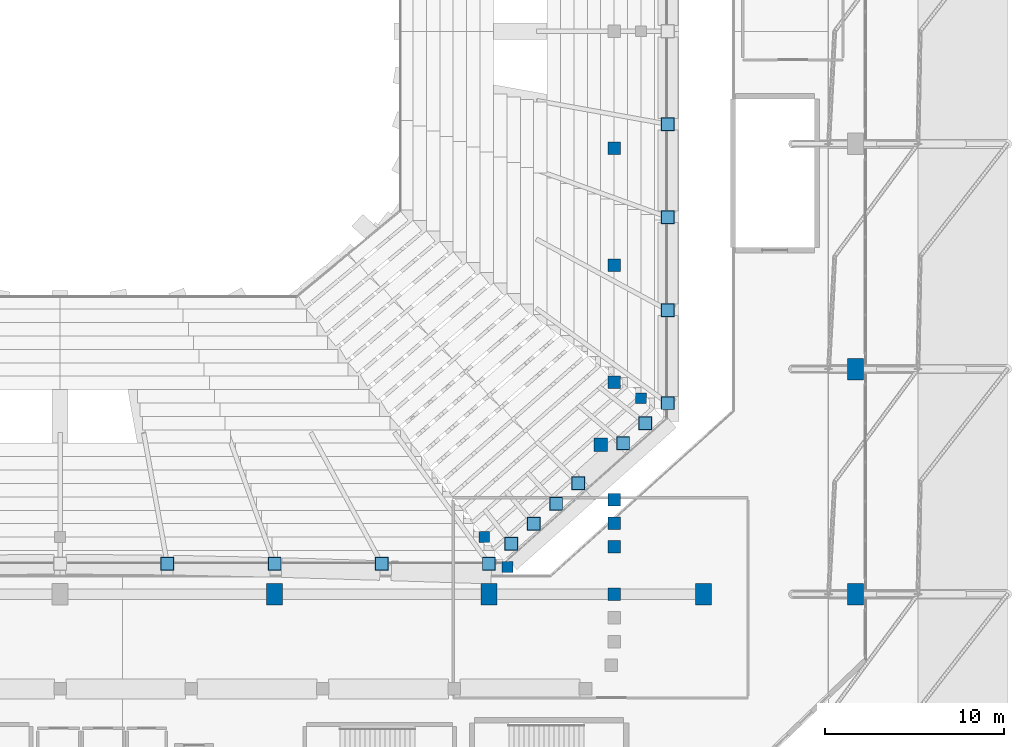
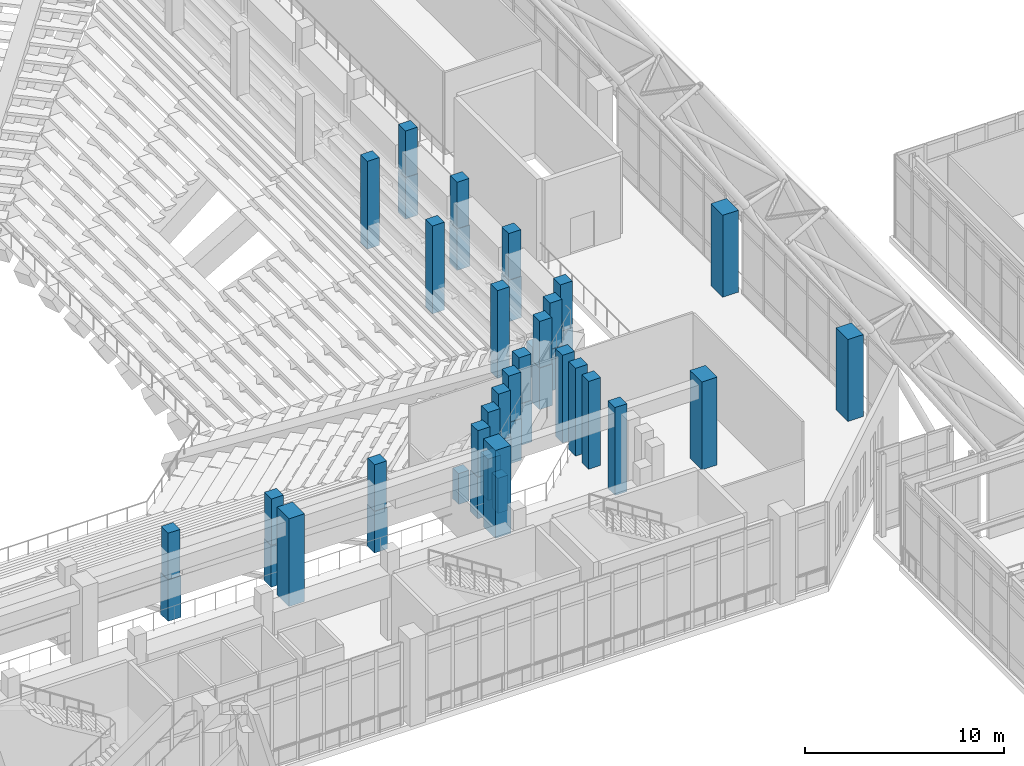
# One storey, part 3 of 159: 44 columns.
"""IFC4 building model written with IfcOpenShell, lengths in metres."""

from ifc_helpers import new_model, si_unit, derived_unit, direction, frame, origin, origin_2d, place, context, subcontext, project, spatial, rectangle, extrude, material, material_profile, profile_set, type_object, element, save


model = new_model("IFC4")

# Units and contexts
model_context = context("Model", 3, precision=1e-05, world=origin(), true_north=direction((0.0, 1.0)))
body_context = subcontext(model_context, "Body", "Model", "MODEL_VIEW")
ifc_project = project(units=[si_unit("LENGTHUNIT", "METRE"), si_unit("AREAUNIT", "SQUARE_METRE"), si_unit("VOLUMEUNIT", "CUBIC_METRE"), si_unit("PLANEANGLEUNIT", "RADIAN"), si_unit("MASSUNIT", "GRAM", prefix="KILO"), derived_unit("THERMALTRANSMITTANCEUNIT", [(si_unit("MASSUNIT", "GRAM", prefix="KILO"), 1), (si_unit("TIMEUNIT", "SECOND"), -3), (si_unit("THERMODYNAMICTEMPERATUREUNIT", "KELVIN"), -1)])], contexts=[model_context])

# Site, building, storey
site_placement = place(None, origin())
site = spatial("IfcSite", under=ifc_project, at=site_placement, CompositionType="ELEMENT")
building_placement = place(site_placement, origin())
building = spatial("IfcBuilding", under=site, at=building_placement, Name="Valcora Ridge Arena", CompositionType="ELEMENT")
storey_placement = place(building_placement, frame((0.0, 0.0, 6.0)))
storey = spatial("IfcBuildingStorey", under=building, at=storey_placement, Name="L01", CompositionType="ELEMENT", Elevation=6.0)

# Columns
ifc_material = material(Name="Concrete C40/50", Category="concrete")
ifc_material_profile_1 = material_profile(ifc_material, rectangle(XDim=0.89990234375, YDim=1.199951171875, at=origin_2d()), Name="RC 900x1200")
ifc_profile_set_1 = profile_set([ifc_material_profile_1], Name="Concrete C40/50")
column_type_1 = type_object("IfcColumnType", Name="TY-COLUMN-C-RC900", PredefinedType="COLUMN", material=ifc_profile_set_1)
for number, where, z_axis, x_axis, name in (
    (1, (70.0, 32.60009765625, 0.0), (0.0, 0.0, 1.0), (1.0, 0.0, 0.0), "C-RC900 COL-C-RC900-0029"),
    (2, (82.0, 32.60009765625, 0.0), (0.0, 0.0, 1.0), (1.0, 0.0, 0.0), "C-RC900 COL-C-RC900-0033"),
    (3, (94.0, 32.60009765625, 0.0), (0.0, 0.0, 1.0), (1.0, 0.0, 0.0), "C-RC900 COL-C-RC900-0037"),
):
    element("IfcColumn", number, at=place(storey_placement, frame(where, z_axis=z_axis, x_axis=x_axis)), inside=storey, type_object=column_type_1, Name=name, PredefinedType="COLUMN", context=body_context, shape_type="SweptSolid", body=[
        extrude(rectangle(XDim=0.89990234375, YDim=1.199951171875, at=origin_2d()), origin(), (0.0, 0.0, 1.0), 5.39990234375),
    ])
for number, where, z_axis, x_axis, name in (
    (4, (102.5, 32.60009765625, 0.0), (0.0, 0.0, 1.0), (1.0, 0.0, 0.0), "C-RC900 COL-C-RC900-0041"),
    (5, (102.5, 45.199951171875, 0.0), (0.0, 0.0, 1.0), (1.0, 0.0, 0.0), "C-RC900 COL-C-RC900-0042"),
):
    element("IfcColumn", number, at=place(storey_placement, frame(where, z_axis=z_axis, x_axis=x_axis)), inside=storey, type_object=column_type_1, Name=name, PredefinedType="COLUMN", context=body_context, shape_type="SweptSolid", body=[
        extrude(rectangle(XDim=0.89990234375, YDim=1.199951171875, at=origin_2d()), origin(), (0.0, 0.0, 1.0), 5.0400390625),
    ])
ifc_material_profile_2 = material_profile(ifc_material, rectangle(XDim=0.60009765625, YDim=0.60009765625, at=origin_2d()), Name="RC 600x600")
ifc_profile_set_2 = profile_set([ifc_material_profile_2], Name="Concrete C40/50")
column_type_2 = type_object("IfcColumnType", Name="TY-COLUMN-C-RKR600I", PredefinedType="COLUMN", material=ifc_profile_set_2)
for number, where, z_axis, x_axis, name in (
    (6, (81.72998046875, 35.800048828125, 0.0), (0.0, 0.0, 1.0), (1.0, 0.0, 0.0), "C-RKR600I COL-R2-C-RKR600I-0038"),
    (7, (90.5, 43.570068359375, 0.0), (0.0, 0.0, 1.0), (1.0, 0.0, 0.0), "C-RKR600I COL-R2-C-RKR600I-0040"),
):
    element("IfcColumn", number, at=place(storey_placement, frame(where, z_axis=z_axis, x_axis=x_axis)), inside=storey, type_object=column_type_2, Name=name, PredefinedType="COLUMN", context=body_context, shape_type="SweptSolid", body=[
        extrude(rectangle(XDim=0.60009765625, YDim=0.60009765625, at=origin_2d()), origin(), (0.0, 0.0, 1.0), 1.89501953125),
    ])
column_placement = place(storey_placement, frame((83.040283203125, 34.1201171875, 0.0), z_axis=(0.0, 0.0, 1.0), x_axis=(1.0, 0.0, 0.0)))
element("IfcColumn", 8, at=column_placement, inside=storey, type_object=column_type_2, Name="C-RKR600I COL-R2-C-RKR600I-0060", PredefinedType="COLUMN", context=body_context, shape_type="SweptSolid", body=[
    extrude(rectangle(XDim=0.60009765625, YDim=0.60009765625, at=origin_2d()), origin(), (0.0, 0.0, 1.0), 2.159912109375),
])
ifc_material_profile_3 = material_profile(ifc_material, rectangle(XDim=0.75, YDim=0.75, at=origin_2d()), Name="RC 750x750")
ifc_profile_set_3 = profile_set([ifc_material_profile_3], Name="Concrete C40/50")
column_type_3 = type_object("IfcColumnType", Name="TY-COLUMN-C-RKR750U", PredefinedType="COLUMN", material=ifc_profile_set_3)
for number, where, z_axis, x_axis, name in (
    (9, (64.0, 34.300048828125, 0.0), (0.0, 0.0, 1.0), (1.0, 0.0, 0.0), "C-RKR750U COL-RK-C-RKR750U-0006"),
    (10, (70.0, 34.300048828125, 0.0), (0.0, 0.0, 1.0), (1.0, 0.0, 0.0), "C-RKR750U COL-RK-C-RKR750U-0007"),
    (11, (76.0, 34.300048828125, 0.0), (0.0, 0.0, 1.0), (1.0, 0.0, 0.0), "C-RKR750U COL-RK-C-RKR750U-0008"),
    (12, (82.0, 34.300048828125, 0.0), (0.0, 0.0, 1.0), (1.0, 0.0, 0.0), "C-RKR750U COL-RK-C-RKR750U-0009"),
    (13, (83.25, 35.425048828125, 0.0), (0.0, 0.0, 1.0), (1.0, 0.0, 0.0), "C-RKR750U COL-RK-C-RKR750U-0010"),
    (14, (84.5, 36.550048828125, 0.0), (0.0, 0.0, 1.0), (1.0, 0.0, 0.0), "C-RKR750U COL-RK-C-RKR750U-0011"),
    (15, (85.75, 37.675048828125, 0.0), (0.0, 0.0, 1.0), (1.0, 0.0, 0.0), "C-RKR750U COL-RK-C-RKR750U-0012"),
    (16, (87.0, 38.800048828125, 0.0), (0.0, 0.0, 1.0), (1.0, 0.0, 0.0), "C-RKR750U COL-RK-C-RKR750U-0013"),
    (17, (89.5, 41.050048828125, 0.0), (0.0, 0.0, 1.0), (1.0, 0.0, 0.0), "C-RKR750U COL-RK-C-RKR750U-0014"),
    (18, (90.75, 42.175048828125, 0.0), (0.0, 0.0, 1.0), (1.0, 0.0, 0.0), "C-RKR750U COL-RK-C-RKR750U-0015"),
    (19, (92.0, 43.300048828125, 0.0), (0.0, 0.0, 1.0), (1.0, 0.0, 0.0), "C-RKR750U COL-RK-C-RKR750U-0016"),
    (20, (92.0, 48.5, 0.0), (0.0, 0.0, 1.0), (1.0, 0.0, 0.0), "C-RKR750U COL-RK-C-RKR750U-0017"),
    (21, (92.0, 53.699951171875, 0.0), (0.0, 0.0, 1.0), (1.0, 0.0, 0.0), "C-RKR750U COL-RK-C-RKR750U-0018"),
    (22, (92.0, 58.89990234375, 0.0), (0.0, 0.0, 1.0), (1.0, 0.0, 0.0), "C-RKR750U COL-RK-C-RKR750U-0019"),
    (23, (88.25, 40.97509765625, 0.0), (0.0, 0.0, 1.0), (1.0, 0.0, 0.0), "C-RKR750U COL-RKN-C-RKR750U-0001"),
):
    element("IfcColumn", number, at=place(storey_placement, frame(where, z_axis=z_axis, x_axis=x_axis)), inside=storey, type_object=column_type_3, Name=name, PredefinedType="COLUMN", context=body_context, shape_type="SweptSolid", body=[
        extrude(rectangle(XDim=0.75, YDim=0.75, at=origin_2d()), origin(), (0.0, 0.0, 1.0), 2.550048828125),
    ])
ifc_material_profile_4 = material_profile(ifc_material, rectangle(XDim=0.699951171875, YDim=0.699951171875, at=origin_2d()), Name="RC 700x700")
ifc_profile_set_4 = profile_set([ifc_material_profile_4], Name="Concrete C40/50")
column_type_4 = type_object("IfcColumnType", Name="TY-COLUMN-C-RKRU700B", PredefinedType="COLUMN", material=ifc_profile_set_4)
for number, where, z_axis, x_axis, name in (
    (24, (89.0, 32.60009765625, 0.0), (0.0, 0.0, 1.0), (1.0, 0.0, 0.0), "C-RKRU700B COL-RK-C-RKRU700B-0063"),
    (25, (89.0, 35.25, 0.0), (0.0, 0.0, 1.0), (1.0, 0.0, 0.0), "C-RKRU700B COL-RK-C-RKRU700B-0068"),
    (26, (89.0, 36.574951171875, 0.0), (0.0, 0.0, 1.0), (1.0, 0.0, 0.0), "C-RKRU700B COL-RK-C-RKRU700B-0073"),
    (27, (89.0, 37.89990234375, 0.0), (0.0, 0.0, 1.0), (1.0, 0.0, 0.0), "C-RKRU700B COL-RK-C-RKRU700B-0078"),
    (28, (89.0, 44.449951171875, 0.0), (0.0, 0.0, 1.0), (1.0, 0.0, 0.0), "C-RKRU700B COL-RK-C-RKRU700B-0083"),
    (29, (89.0, 51.0, 0.0), (0.0, 0.0, 1.0), (1.0, 0.0, 0.0), "C-RKRU700B COL-RK-C-RKRU700B-0088"),
    (30, (89.0, 57.550048828125, 0.0), (0.0, 0.0, 1.0), (1.0, 0.0, 0.0), "C-RKRU700B COL-RK-C-RKRU700B-0093"),
):
    element("IfcColumn", number, at=place(storey_placement, frame(where, z_axis=z_axis, x_axis=x_axis)), inside=storey, type_object=column_type_4, Name=name, PredefinedType="COLUMN", context=body_context, shape_type="SweptSolid", body=[
        extrude(rectangle(XDim=0.699951171875, YDim=0.699951171875, at=origin_2d()), origin(), (0.0, 0.0, 1.0), 5.39990234375),
    ])
ifc_material_profile_5 = material_profile(ifc_material, rectangle(XDim=0.699951171875, YDim=0.699951171875, at=origin_2d()), Name="RC 700x700")
ifc_profile_set_5 = profile_set([ifc_material_profile_5], Name="Concrete C40/50")
column_type_5 = type_object("IfcColumnType", Name="TY-COLUMN-C-RKRU700M", PredefinedType="COLUMN", material=ifc_profile_set_5)
for number, where, z_axis, x_axis, name in (
    (31, (64.0, 34.300048828125, 2.550048828125), (0.0, 0.0, 1.0), (1.0, 0.0, 0.0), "C-RKRU700M COL-RK-C-RKRU700M-0006"),
    (32, (70.0, 34.300048828125, 2.550048828125), (0.0, 0.0, 1.0), (1.0, 0.0, 0.0), "C-RKRU700M COL-RK-C-RKRU700M-0007"),
    (33, (76.0, 34.300048828125, 2.550048828125), (0.0, 0.0, 1.0), (1.0, 0.0, 0.0), "C-RKRU700M COL-RK-C-RKRU700M-0008"),
    (34, (82.0, 34.300048828125, 2.550048828125), (0.0, 0.0, 1.0), (1.0, 0.0, 0.0), "C-RKRU700M COL-RK-C-RKRU700M-0009"),
    (35, (83.25, 35.425048828125, 2.550048828125), (0.0, 0.0, 1.0), (1.0, 0.0, 0.0), "C-RKRU700M COL-RK-C-RKRU700M-0010"),
    (36, (84.5, 36.550048828125, 2.550048828125), (0.0, 0.0, 1.0), (1.0, 0.0, 0.0), "C-RKRU700M COL-RK-C-RKRU700M-0011"),
    (37, (85.75, 37.675048828125, 2.550048828125), (0.0, 0.0, 1.0), (1.0, 0.0, 0.0), "C-RKRU700M COL-RK-C-RKRU700M-0012"),
    (38, (87.0, 38.800048828125, 2.550048828125), (0.0, 0.0, 1.0), (1.0, 0.0, 0.0), "C-RKRU700M COL-RK-C-RKRU700M-0013"),
    (39, (89.5, 41.050048828125, 2.550048828125), (0.0, 0.0, 1.0), (1.0, 0.0, 0.0), "C-RKRU700M COL-RK-C-RKRU700M-0014"),
    (40, (90.75, 42.175048828125, 2.550048828125), (0.0, 0.0, 1.0), (1.0, 0.0, 0.0), "C-RKRU700M COL-RK-C-RKRU700M-0015"),
    (41, (92.0, 43.300048828125, 2.550048828125), (0.0, 0.0, 1.0), (1.0, 0.0, 0.0), "C-RKRU700M COL-RK-C-RKRU700M-0016"),
    (42, (92.0, 48.5, 2.550048828125), (0.0, 0.0, 1.0), (1.0, 0.0, 0.0), "C-RKRU700M COL-RK-C-RKRU700M-0017"),
    (43, (92.0, 53.699951171875, 2.550048828125), (0.0, 0.0, 1.0), (1.0, 0.0, 0.0), "C-RKRU700M COL-RK-C-RKRU700M-0018"),
    (44, (92.0, 58.89990234375, 2.550048828125), (0.0, 0.0, 1.0), (1.0, 0.0, 0.0), "C-RKRU700M COL-RK-C-RKRU700M-0019"),
):
    element("IfcColumn", number, at=place(storey_placement, frame(where, z_axis=z_axis, x_axis=x_axis)), inside=storey, type_object=column_type_5, Name=name, PredefinedType="COLUMN", context=body_context, shape_type="SweptSolid", body=[
        extrude(rectangle(XDim=0.699951171875, YDim=0.699951171875, at=origin_2d()), origin(), (0.0, 0.0, 1.0), 2.849853515625),
    ])

save(model, "model.ifc")
